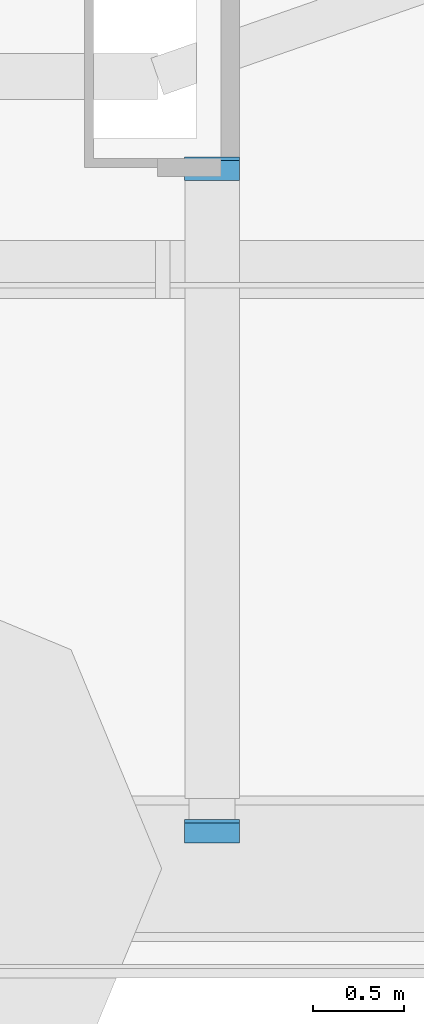
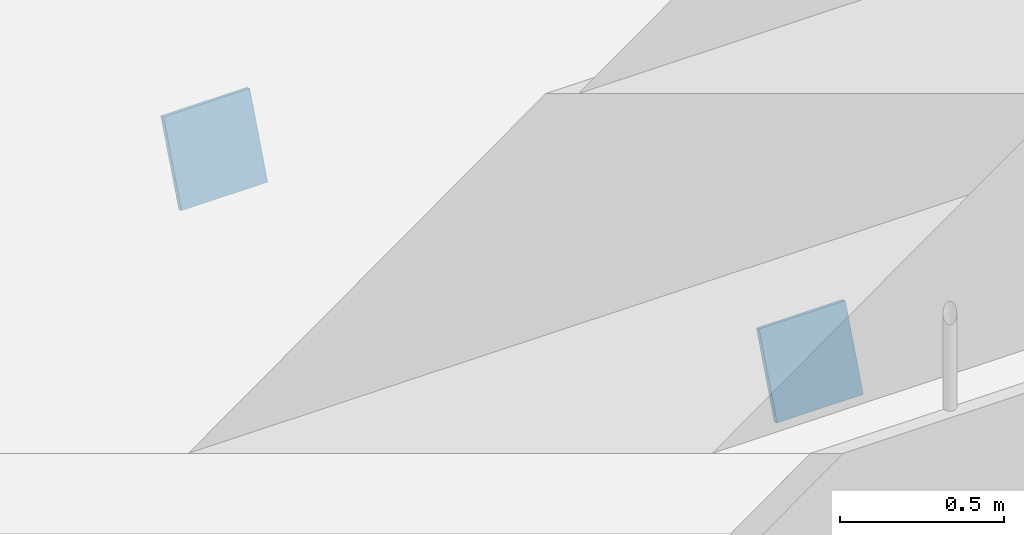
# One storey, part 21 of 24: 2 discrete accessories.
"""IFC4 building model written with IfcOpenShell, lengths in metres."""

from ifc_helpers import new_model, si_unit, direction, frame, origin, place, context, subcontext, project, spatial, polyline, outline, extrude, material, layer, layer_set, type_object, element, save


model = new_model("IFC4")

# Units and contexts
model_context = context("Model", 3, precision=1e-05, world=origin(), true_north=direction((0.0, 1.0)))
body_context = subcontext(model_context, "Body", "Model", "MODEL_VIEW")
ifc_project = project(units=[si_unit("LENGTHUNIT", "METRE"), si_unit("AREAUNIT", "SQUARE_METRE"), si_unit("VOLUMEUNIT", "CUBIC_METRE"), si_unit("PLANEANGLEUNIT", "RADIAN"), si_unit("MASSUNIT", "GRAM", prefix="KILO")], contexts=[model_context])

# Site, building, storey
site_placement = place(None, origin())
site = spatial("IfcSite", under=ifc_project, at=site_placement, CompositionType="ELEMENT")
building_placement = place(site_placement, origin())
building = spatial("IfcBuilding", under=site, at=building_placement, Name="Firuza Gate Tower and Library", CompositionType="ELEMENT")
storey_placement = place(building_placement, frame((0.0, 0.0, 194.800048828125)))
storey = spatial("IfcBuildingStorey", under=building, at=storey_placement, Name="L45", CompositionType="ELEMENT", Elevation=194.800048828125)

# Discrete accessories
ifc_material = material(Name="Steel S355", Category="steel")
ifc_layer = layer(ifc_material, 0.02001953125)
ifc_layer_set = layer_set([ifc_layer], Name="Strut seat plate 304x304x20 Steel S355")
discrete_accessory_type = type_object("IfcDiscreteAccessoryType", Name="Strut seat plate 304x304x20 Steel S355", PredefinedType="BRACKET", material=ifc_layer_set)
discrete_accessory_1_placement = place(storey_placement, frame((92.823486328125, 56.237548828125, -1.53564453125), z_axis=(0.0, -0.932034825678, 0.362368712397), x_axis=(-1.0, 0.0, 0.0)))
element("IfcDiscreteAccessory", 1, at=discrete_accessory_1_placement, inside=storey, type_object=discrete_accessory_type, Name="Strut seat plate L45 col:L44:S5", PredefinedType="BRACKET", context=body_context, shape_type="SweptSolid", body=[
    extrude(outline(polyline([(0.0, 0.0), (0.303955078125, 0.0), (0.303955078125, 0.30385465993090327), (0.0, 0.30385465993090327), (0.0, 0.0)])), origin(), (0.0, 0.0, -1.0), 0.02001953125),
])
discrete_accessory_2_placement = place(storey_placement, frame((92.51953125, 52.600341796875, -0.12109375), z_axis=(0.0, -0.932140212882, 0.36209753317), x_axis=(1.0, 0.0, 0.0)))
element("IfcDiscreteAccessory", 2, at=discrete_accessory_2_placement, inside=storey, type_object=discrete_accessory_type, Name="Strut seat plate L45 col:L44:S5", PredefinedType="BRACKET", context=body_context, shape_type="SweptSolid", body=[
    extrude(outline(polyline([(0.0, 0.0), (0.303955078125, 0.0), (0.303955078125, -0.3040822203652304), (0.0, -0.3040822203652304), (0.0, 0.0)])), origin(), (0.0, 0.0, -1.0), 0.02001953125),
])

save(model, "model.ifc")
